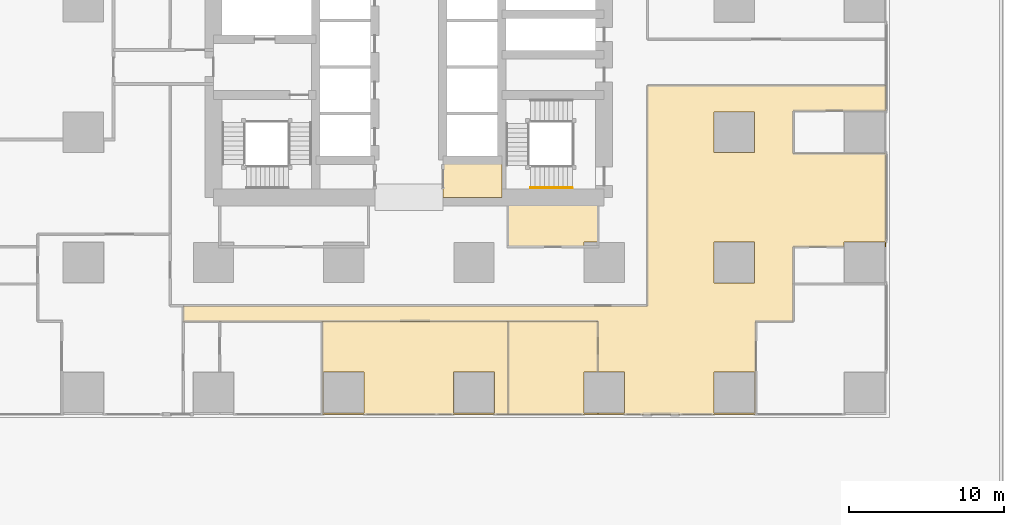
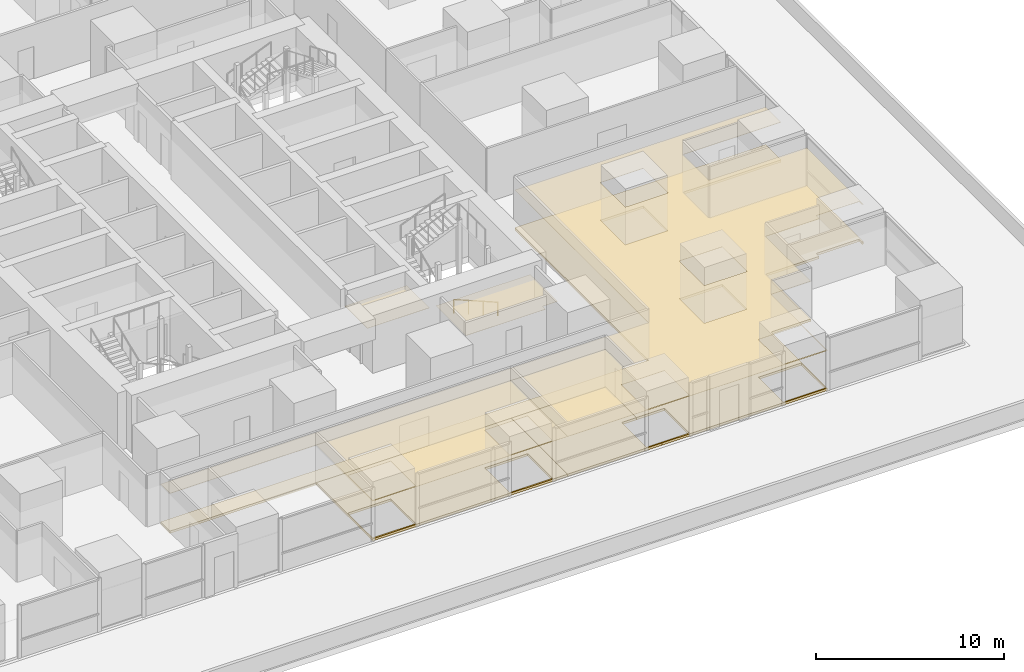
# One storey, part 29 of 35: 8 coverings, 1 railing.
"""IFC4 building model written with IfcOpenShell, lengths in metres."""

from ifc_helpers import new_model, si_unit, direction, frame, origin, origin_2d, place, context, subcontext, project, spatial, polyline, circle, outline, extrude, material, layer, layer_set, type_object, element, save


model = new_model("IFC4")

# Units and contexts
model_context = context("Model", 3, precision=1e-05, world=origin(), true_north=direction((0.0, 1.0)))
body_context = subcontext(model_context, "Body", "Model", "MODEL_VIEW")
ifc_project = project(units=[si_unit("LENGTHUNIT", "METRE"), si_unit("AREAUNIT", "SQUARE_METRE"), si_unit("VOLUMEUNIT", "CUBIC_METRE"), si_unit("PLANEANGLEUNIT", "RADIAN"), si_unit("MASSUNIT", "GRAM", prefix="KILO")], contexts=[model_context])

# Site, building, storey
site_placement = place(None, origin())
site = spatial("IfcSite", under=ifc_project, at=site_placement, CompositionType="ELEMENT")
building_placement = place(site_placement, origin())
building = spatial("IfcBuilding", under=site, at=building_placement, Name="Rekha Terrace Tower", CompositionType="ELEMENT")
storey_placement = place(building_placement, frame((0.0, 0.0, 25.39990234375)))
storey = spatial("IfcBuildingStorey", under=building, at=storey_placement, Name="L05", CompositionType="ELEMENT", Elevation=25.39990234375)

# Coverings
ifc_material_1 = material(Name="Mineral fibre tile in exposed grid", Category="finish")
ifc_layer_1 = layer(ifc_material_1, 0.02001953125)
ifc_layer_set_1 = layer_set([ifc_layer_1], Name="Mineral fibre tile in exposed grid")
covering_type_1 = type_object("IfcCoveringType", Name="CL1 600x1200 office grid ceiling", PredefinedType="CEILING", material=ifc_layer_set_1)
covering_1_placement = place(storey_placement, frame((0.0, 0.0, 2.580078125)))
element("IfcCovering", 1, at=covering_1_placement, inside=storey, type_object=covering_type_1, Name="Ceiling L05-02", PredefinedType="CEILING", context=body_context, shape_type="SweptSolid", body=[
    extrude(outline(polyline([(44.199951171875, 7.0), (44.199951171875, 13.0), (32.236083984375, 13.0), (32.236083984375, 7.0), (44.199951171875, 7.0)]), holes=[polyline([(43.31494140625, 7.0849609375), (40.68505859375, 7.0849609375), (40.68505859375, 9.715087890625), (43.31494140625, 9.715087890625), (43.31494140625, 7.0849609375)]), polyline([(34.9150390625, 7.0849609375), (32.284912109375, 7.0849609375), (32.284912109375, 9.715087890625), (34.9150390625, 9.715087890625), (34.9150390625, 7.0849609375)])]), origin(), (0.0, 0.0, 1.0), 0.02001953125),
])
covering_2_placement = place(storey_placement, frame((0.0, 0.0, 2.580078125)))
element("IfcCovering", 2, at=covering_2_placement, inside=storey, type_object=covering_type_1, Name="Ceiling L05-03", PredefinedType="CEILING", context=body_context, shape_type="SweptSolid", body=[
    extrude(outline(polyline([(50.0, 9.715087890625), (50.0, 13.0), (44.200927734375, 13.0), (44.200927734375, 7.0), (50.0, 7.0), (50.0, 7.0849609375), (49.0849609375, 7.0849609375), (49.0849609375, 9.715087890625), (50.0, 9.715087890625)])), origin(), (0.0, 0.0, 1.0), 0.02001953125),
])
covering_3_placement = place(storey_placement, frame((0.0, 0.0, 2.580078125)))
element("IfcCovering", 3, at=covering_3_placement, inside=storey, type_object=covering_type_1, Name="Ceiling L05-O1", PredefinedType="CEILING", context=body_context, shape_type="SweptSolid", body=[
    extrude(outline(polyline([(23.2509765625, 14.0), (23.2509765625, 13.0), (50.0, 13.0), (50.0, 9.715087890625), (51.715087890625, 9.715087890625), (51.715087890625, 7.0849609375), (50.0, 7.0849609375), (50.0, 7.0), (60.166015625, 7.0), (60.166015625, 13.0), (62.60009765625, 13.0), (62.60009765625, 17.800048828125), (65.885009765625, 17.800048828125), (65.885009765625, 18.114990234375), (68.514892578125, 18.114990234375), (68.514892578125, 17.800048828125), (68.60009765625, 17.800048828125), (68.60009765625, 23.8359375), (62.60009765625, 23.8359375), (62.60009765625, 26.56494140625), (68.60009765625, 26.56494140625), (68.60009765625, 28.199951171875), (53.199951171875, 28.199951171875), (53.199951171875, 14.0), (23.2509765625, 14.0)]), holes=[polyline([(60.114990234375, 7.0849609375), (57.485107421875, 7.0849609375), (57.485107421875, 9.715087890625), (60.114990234375, 9.715087890625), (60.114990234375, 7.0849609375)]), polyline([(60.114990234375, 18.114990234375), (60.114990234375, 15.485107421875), (57.485107421875, 15.485107421875), (57.485107421875, 18.114990234375), (60.114990234375, 18.114990234375)]), polyline([(60.114990234375, 23.885009765625), (57.485107421875, 23.885009765625), (57.485107421875, 26.514892578125), (60.114990234375, 26.514892578125), (60.114990234375, 23.885009765625)])]), origin(), (0.0, 0.0, 1.0), 0.02001953125),
])
ifc_material_2 = material(Name="Fibre cement board", Category="finish")
ifc_layer_2 = layer(ifc_material_2, 0.014892578125)
ifc_layer_set_2 = layer_set([ifc_layer_2], Name="Fibre cement board")
covering_type_2 = type_object("IfcCoveringType", Name="CL2 moisture-resistant board ceiling", PredefinedType="CEILING", material=ifc_layer_set_2)
covering_4_placement = place(storey_placement, frame((0.0, 0.0, 2.585205078125)))
element("IfcCovering", 4, at=covering_4_placement, inside=storey, type_object=covering_type_2, Name="Ceiling L05-WCA", PredefinedType="CEILING", context=body_context, shape_type="SweptSolid", body=[
    extrude(outline(polyline([(43.800048828125, 23.39990234375), (40.0, 23.39990234375), (40.0, 21.0), (43.800048828125, 21.0), (43.800048828125, 23.39990234375)])), origin(), (0.0, 0.0, 1.0), 0.014892578125),
])
covering_5_placement = place(storey_placement, frame((0.0, 0.0, 2.585205078125)))
element("IfcCovering", 5, at=covering_5_placement, inside=storey, type_object=covering_type_2, Name="Ceiling L05-WCM2", PredefinedType="CEILING", context=body_context, shape_type="SweptSolid", body=[
    extrude(outline(polyline([(50.0, 21.0), (44.199951171875, 21.0), (44.199951171875, 17.800048828125), (49.0849609375, 17.800048828125), (49.0849609375, 18.114990234375), (50.0, 18.114990234375), (50.0, 21.0)])), origin(), (0.0, 0.0, 1.0), 0.014892578125),
])

# Railing
ifc_material_3 = material(Name="Stainless steel tube", Category="steel")
railing_type = type_object("IfcRailingType", Name="HR1 900 stair handrail", PredefinedType="HANDRAIL", material=ifc_material_3)
railing_placement = place(storey_placement, frame((48.35009765625, 21.610107421875, 0.125)))
element("IfcRailing", 6, at=railing_placement, inside=storey, type_object=railing_type, Name="Handrail ST3 L05 flight 1", PredefinedType="HANDRAIL", context=body_context, shape_type="SweptSolid", body=[
    extrude(circle(Radius=0.02392578125, at=origin_2d()), frame((0.0, 0.0, 0.8759765625), z_axis=(-0.923086799901, 0.0, 0.38459167938), x_axis=(0.0, -1.0, 0.0)), (0.0, 0.0, 1.0), 2.92529296875),
    extrude(circle(Radius=0.02099609375, at=origin_2d()), origin(), (0.0, 0.0, 1.0), 0.851806640625),
    extrude(circle(Radius=0.02099609375, at=origin_2d()), frame((-0.900146484375, 0.0, 0.375)), (0.0, 0.0, 1.0), 0.851806640625),
    extrude(circle(Radius=0.02099609375, at=origin_2d()), frame((-1.800048828125, 0.0, 0.75)), (0.0, 0.0, 1.0), 0.851806640625),
    extrude(circle(Radius=0.02099609375, at=origin_2d()), frame((-2.7001953125, 0.0, 1.125)), (0.0, 0.0, 1.0), 0.851806640625),
])

# Coverings
ifc_material_4 = material(Name="Calcium sulphate panels on steel pedestals", Category="steel")
ifc_layer_3 = layer(ifc_material_4, 0.14990234375)
ifc_layer_set_3 = layer_set([ifc_layer_3], Name="Calcium sulphate panels on steel pedestals")
covering_type_3 = type_object("IfcCoveringType", Name="RF1 150 raised access floor", PredefinedType="FLOORING", material=ifc_layer_set_3)
covering_6_placement = place(storey_placement, origin())
element("IfcCovering", 7, at=covering_6_placement, inside=storey, type_object=covering_type_3, Name="Raised floor L05-02", PredefinedType="FLOORING", context=body_context, shape_type="SweptSolid", body=[
    extrude(outline(polyline([(44.199951171875, 7.0), (44.199951171875, 13.0), (32.236083984375, 13.0), (32.236083984375, 7.0), (44.199951171875, 7.0)]), holes=[polyline([(43.31494140625, 7.0849609375), (40.68505859375, 7.0849609375), (40.68505859375, 9.715087890625), (43.31494140625, 9.715087890625), (43.31494140625, 7.0849609375)]), polyline([(34.9150390625, 7.0849609375), (32.284912109375, 7.0849609375), (32.284912109375, 9.715087890625), (34.9150390625, 9.715087890625), (34.9150390625, 7.0849609375)])]), origin(), (0.0, 0.0, 1.0), 0.150146484375),
])
covering_7_placement = place(storey_placement, origin())
element("IfcCovering", 8, at=covering_7_placement, inside=storey, type_object=covering_type_3, Name="Raised floor L05-03", PredefinedType="FLOORING", context=body_context, shape_type="SweptSolid", body=[
    extrude(outline(polyline([(50.0, 9.715087890625), (50.0, 13.0), (44.200927734375, 13.0), (44.200927734375, 7.0), (50.0, 7.0), (50.0, 7.0849609375), (49.0849609375, 7.0849609375), (49.0849609375, 9.715087890625), (50.0, 9.715087890625)])), origin(), (0.0, 0.0, 1.0), 0.150146484375),
])
covering_8_placement = place(storey_placement, origin())
element("IfcCovering", 9, at=covering_8_placement, inside=storey, type_object=covering_type_3, Name="Raised floor L05-O1", PredefinedType="FLOORING", context=body_context, shape_type="SweptSolid", body=[
    extrude(outline(polyline([(23.2509765625, 14.0), (23.2509765625, 13.0), (50.0, 13.0), (50.0, 9.715087890625), (51.715087890625, 9.715087890625), (51.715087890625, 7.0849609375), (50.0, 7.0849609375), (50.0, 7.0), (60.166015625, 7.0), (60.166015625, 13.0), (62.60009765625, 13.0), (62.60009765625, 17.800048828125), (65.885009765625, 17.800048828125), (65.885009765625, 18.114990234375), (68.514892578125, 18.114990234375), (68.514892578125, 17.800048828125), (68.60009765625, 17.800048828125), (68.60009765625, 23.8359375), (62.60009765625, 23.8359375), (62.60009765625, 26.56494140625), (68.60009765625, 26.56494140625), (68.60009765625, 28.199951171875), (53.199951171875, 28.199951171875), (53.199951171875, 14.0), (23.2509765625, 14.0)]), holes=[polyline([(60.114990234375, 7.0849609375), (57.485107421875, 7.0849609375), (57.485107421875, 9.715087890625), (60.114990234375, 9.715087890625), (60.114990234375, 7.0849609375)]), polyline([(60.114990234375, 18.114990234375), (60.114990234375, 15.485107421875), (57.485107421875, 15.485107421875), (57.485107421875, 18.114990234375), (60.114990234375, 18.114990234375)]), polyline([(60.114990234375, 23.885009765625), (57.485107421875, 23.885009765625), (57.485107421875, 26.514892578125), (60.114990234375, 26.514892578125), (60.114990234375, 23.885009765625)])]), origin(), (0.0, 0.0, 1.0), 0.150146484375),
])

save(model, "model.ifc")
